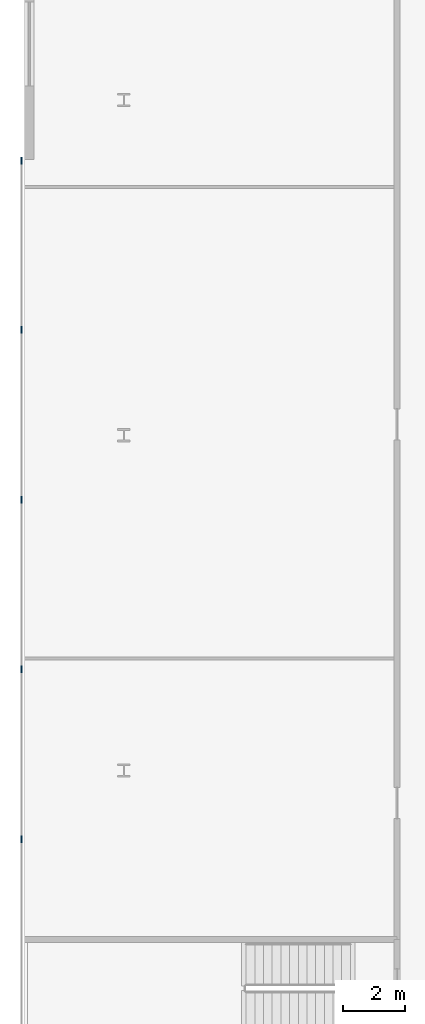
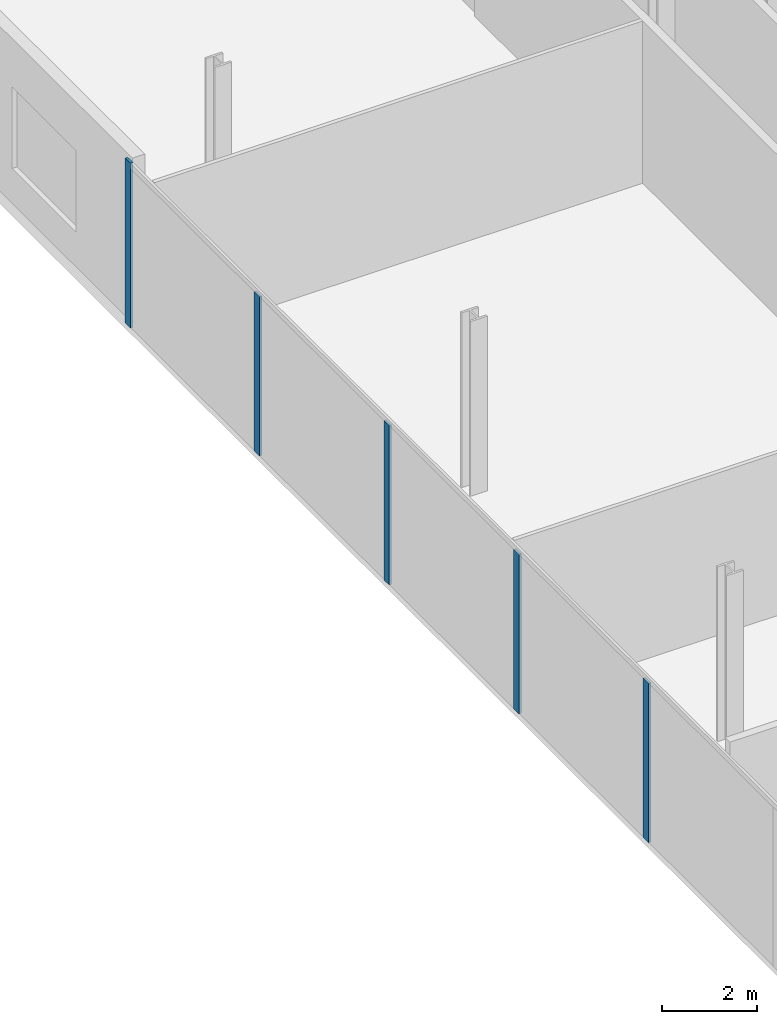
# One storey, part 9 of 47: 5 members, 1 element without a shape of its own.
"""IFC4 building model written with IfcOpenShell, lengths in metres."""

from ifc_helpers import new_model, si_unit, direction, frame, origin, origin_2d, place, context, subcontext, project, spatial, rectangle, extrude, material, layer, layer_set, material_profile, profile_set, type_object, element, aggregate, save


model = new_model("IFC4")

# Units and contexts
model_context = context("Model", 3, precision=1e-05, world=origin(), true_north=direction((0.0, 1.0)))
body_context = subcontext(model_context, "Body", "Model", "MODEL_VIEW")
ifc_project = project(units=[si_unit("LENGTHUNIT", "METRE"), si_unit("AREAUNIT", "SQUARE_METRE"), si_unit("VOLUMEUNIT", "CUBIC_METRE"), si_unit("PLANEANGLEUNIT", "RADIAN"), si_unit("MASSUNIT", "GRAM", prefix="KILO")], contexts=[model_context])

# Site, building, storey
site_placement = place(None, origin())
site = spatial("IfcSite", under=ifc_project, at=site_placement, CompositionType="ELEMENT")
building_placement = place(site_placement, origin())
building = spatial("IfcBuilding", under=site, at=building_placement, Name="Kheshtan School and Residences Tower", CompositionType="ELEMENT")
storey_placement = place(building_placement, frame((0.0, 0.0, 12.5)))
storey = spatial("IfcBuildingStorey", under=building, at=storey_placement, Name="L02", CompositionType="ELEMENT", Elevation=12.5)

# Curtain wall, members
ifc_material_1 = material(Name="Clear low-e glass in thermally broken aluminium frame", Category="aluminium")
ifc_layer = layer(ifc_material_1, 0.22509765625)
ifc_layer_set = layer_set([ifc_layer], Name="Curtain wall CW-P")
curtain_wall_type = type_object("IfcCurtainWallType", Name="Curtain wall CW-P", PredefinedType="NOTDEFINED", material=ifc_layer_set)
curtain_wall_placement = place(storey_placement, origin())
curtain_wall = element("IfcCurtainWall", 1, at=curtain_wall_placement, inside=storey, type_object=curtain_wall_type, Name="Curtain wall CWP16a", PredefinedType="NOTDEFINED")
ifc_material_2 = material(Name="Thermally broken aluminium, dark bronze anodised", Category="aluminium")
ifc_material_profile = material_profile(ifc_material_2, rectangle(XDim=0.06005859375, YDim=0.22509765625, at=origin_2d()), Name="CW-P mullion 60x225")
ifc_profile_set = profile_set([ifc_material_profile], Name="Thermally broken aluminium, dark bronze anodised")
member_type = type_object("IfcMemberType", Name="CW-P mullion 60x225", PredefinedType="MULLION", material=ifc_profile_set)
member_1_placement = place(storey_placement, frame((11.89990234375, 43.377685546875, 0.0), z_axis=(0.0, 0.0, 1.0), x_axis=(-1.0, 0.0, 0.0)))
member_1 = element("IfcMember", 2, at=member_1_placement, type_object=member_type, Name="CWP16a mullion 6", PredefinedType="MULLION", context=body_context, shape_type="SweptSolid", body=[
    extrude(rectangle(XDim=0.06005859375, YDim=0.22509765625, at=origin_2d()), origin(), (0.0, 0.0, 1.0), 4.110107421875),
])
member_2_placement = place(storey_placement, frame((11.89990234375, 48.853271484375, 0.0), z_axis=(0.0, 0.0, 1.0), x_axis=(-1.0, 0.0, 0.0)))
member_2 = element("IfcMember", 3, at=member_2_placement, type_object=member_type, Name="CWP16a mullion 7", PredefinedType="MULLION", context=body_context, shape_type="SweptSolid", body=[
    extrude(rectangle(XDim=0.06005859375, YDim=0.22509765625, at=origin_2d()), origin(), (0.0, 0.0, 1.0), 4.110107421875),
])
member_3_placement = place(storey_placement, frame((11.89990234375, 54.328857421875, 0.0), z_axis=(0.0, 0.0, 1.0), x_axis=(-1.0, 0.0, 0.0)))
member_3 = element("IfcMember", 4, at=member_3_placement, type_object=member_type, Name="CWP16a mullion 8", PredefinedType="MULLION", context=body_context, shape_type="SweptSolid", body=[
    extrude(rectangle(XDim=0.06005859375, YDim=0.22509765625, at=origin_2d()), origin(), (0.0, 0.0, 1.0), 4.110107421875),
])
member_4_placement = place(storey_placement, frame((11.89990234375, 59.804443359375, 0.0), z_axis=(0.0, 0.0, 1.0), x_axis=(-1.0, 0.0, 0.0)))
member_4 = element("IfcMember", 5, at=member_4_placement, type_object=member_type, Name="CWP16a mullion 9", PredefinedType="MULLION", context=body_context, shape_type="SweptSolid", body=[
    extrude(rectangle(XDim=0.06005859375, YDim=0.22509765625, at=origin_2d()), origin(), (0.0, 0.0, 1.0), 4.110107421875),
])
member_5_placement = place(storey_placement, frame((11.89990234375, 65.25, 0.0), z_axis=(0.0, 0.0, 1.0), x_axis=(-1.0, 0.0, 0.0)))
member_5 = element("IfcMember", 6, at=member_5_placement, type_object=member_type, Name="CWP16a mullion 10", PredefinedType="MULLION", context=body_context, shape_type="SweptSolid", body=[
    extrude(rectangle(XDim=0.06005859375, YDim=0.22509765625, at=origin_2d()), origin(), (0.0, 0.0, 1.0), 4.25),
])
aggregate(curtain_wall, [member_1, member_2, member_3, member_4, member_5])

save(model, "model.ifc")
